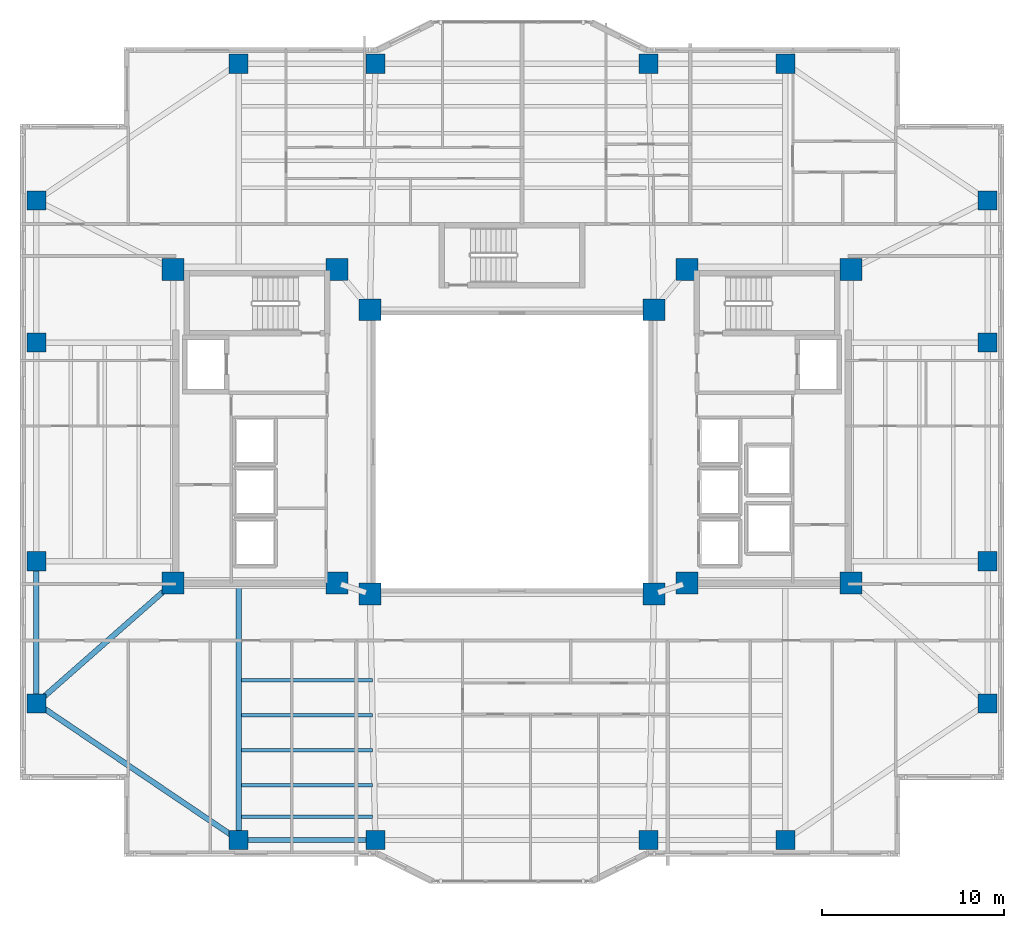
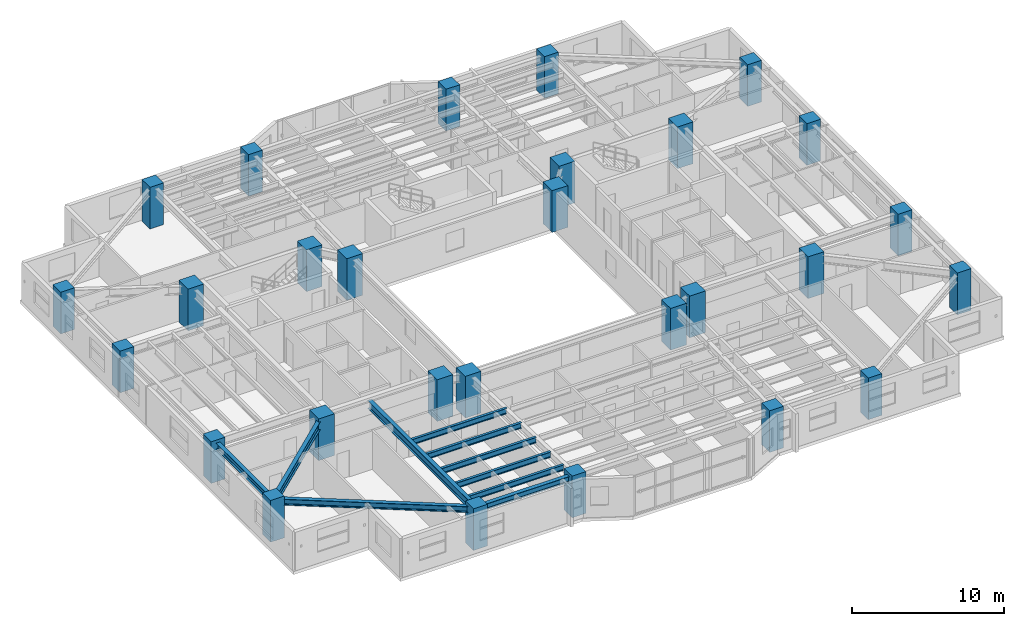
# One storey, part 1 of 18: 28 columns, 10 beams.
"""IFC4 building model written with IfcOpenShell, lengths in metres."""

from ifc_helpers import new_model, si_unit, direction, frame, origin, origin_2d, place, context, subcontext, project, spatial, rectangle, i_section, extrude, material, material_profile, profile_set, type_object, element, save


model = new_model("IFC4")

# Units and contexts
model_context = context("Model", 3, precision=1e-05, world=origin(), true_north=direction((0.0, 1.0)))
body_context = subcontext(model_context, "Body", "Model", "MODEL_VIEW")
ifc_project = project(units=[si_unit("LENGTHUNIT", "METRE"), si_unit("AREAUNIT", "SQUARE_METRE"), si_unit("VOLUMEUNIT", "CUBIC_METRE"), si_unit("PLANEANGLEUNIT", "RADIAN"), si_unit("MASSUNIT", "GRAM", prefix="KILO")], contexts=[model_context])

# Site, building, storey
site_placement = place(None, origin())
site = spatial("IfcSite", under=ifc_project, at=site_placement, CompositionType="ELEMENT")
building_placement = place(site_placement, origin())
building = spatial("IfcBuilding", under=site, at=building_placement, Name="Tarnavaz Court Tower", CompositionType="ELEMENT")
storey_placement = place(building_placement, frame((0.0, 0.0, 95.050048828125)))
storey = spatial("IfcBuildingStorey", under=building, at=storey_placement, Name="L25", CompositionType="ELEMENT", Elevation=95.050048828125)

# Columns
ifc_material_1 = material(Name="Concrete C60/75", Category="concrete")
ifc_material_profile_1 = material_profile(ifc_material_1, rectangle(XDim=1.050048828125, YDim=1.050048828125, at=origin_2d()), Name="RC 1050X1050")
ifc_profile_set_1 = profile_set([ifc_material_profile_1], Name="Concrete C60/75")
column_type_1 = type_object("IfcColumnType", Name="CL-RC1050", PredefinedType="COLUMN", material=ifc_profile_set_1)
for number, where, z_axis, x_axis, name in (
    (1, (-15.0, 21.300048828125, 0.0), (0.0, 0.0, 1.0), (1.0, 0.0, 0.0), "L25 Column PN-1"),
    (2, (-7.5, 21.300048828125, 0.0), (0.0, 0.0, 1.0), (1.0, 0.0, 0.0), "L25 Column PN-2"),
    (3, (7.5, 21.300048828125, 0.0), (0.0, 0.0, 1.0), (1.0, 0.0, 0.0), "L25 Column PN-3"),
    (4, (15.0, 21.300048828125, 0.0), (0.0, 0.0, 1.0), (1.0, 0.0, 0.0), "L25 Column PN-4"),
    (5, (-15.0, -21.300048828125, 0.0), (0.0, 0.0, 1.0), (1.0, 0.0, 0.0), "L25 Column PS-1"),
    (6, (-7.5, -21.300048828125, 0.0), (0.0, 0.0, 1.0), (1.0, 0.0, 0.0), "L25 Column PS-2"),
    (7, (7.5, -21.300048828125, 0.0), (0.0, 0.0, 1.0), (1.0, 0.0, 0.0), "L25 Column PS-3"),
    (8, (15.0, -21.300048828125, 0.0), (0.0, 0.0, 1.0), (1.0, 0.0, 0.0), "L25 Column PS-4"),
    (9, (26.10009765625, -13.800048828125, 0.0), (0.0, 0.0, 1.0), (1.0, 0.0, 0.0), "L25 Column PE-1"),
    (10, (26.10009765625, -6.0, 0.0), (0.0, 0.0, 1.0), (1.0, 0.0, 0.0), "L25 Column PE-2"),
    (11, (26.10009765625, 6.0, 0.0), (0.0, 0.0, 1.0), (1.0, 0.0, 0.0), "L25 Column PE-3"),
    (12, (26.10009765625, 13.800048828125, 0.0), (0.0, 0.0, 1.0), (1.0, 0.0, 0.0), "L25 Column PE-4"),
    (13, (-26.10009765625, -13.800048828125, 0.0), (0.0, 0.0, 1.0), (1.0, 0.0, 0.0), "L25 Column PW-1"),
    (14, (-26.10009765625, -6.0, 0.0), (0.0, 0.0, 1.0), (1.0, 0.0, 0.0), "L25 Column PW-2"),
    (15, (-26.10009765625, 6.0, 0.0), (0.0, 0.0, 1.0), (1.0, 0.0, 0.0), "L25 Column PW-3"),
    (16, (-26.10009765625, 13.800048828125, 0.0), (0.0, 0.0, 1.0), (1.0, 0.0, 0.0), "L25 Column PW-4"),
):
    element("IfcColumn", number, at=place(storey_placement, frame(where, z_axis=z_axis, x_axis=x_axis)), inside=storey, type_object=column_type_1, Name=name, PredefinedType="COLUMN", context=body_context, shape_type="SweptSolid", body=[
        extrude(rectangle(XDim=1.050048828125, YDim=1.050048828125, at=origin_2d()), origin(), (0.0, 0.0, 1.0), 3.349853515625),
    ])
ifc_material_profile_2 = material_profile(ifc_material_1, rectangle(XDim=1.199951171875, YDim=1.199951171875, at=origin_2d()), Name="RC 1200X1200")
ifc_profile_set_2 = profile_set([ifc_material_profile_2], Name="Concrete C60/75")
column_type_2 = type_object("IfcColumnType", Name="CL-RC1200", PredefinedType="COLUMN", material=ifc_profile_set_2)
for number, where, z_axis, x_axis, name in (
    (17, (-7.800048828125, -7.800048828125, 0.0), (0.0, 0.0, 1.0), (1.0, 0.0, 0.0), "L25 Column IW-SW"),
    (18, (7.800048828125, -7.800048828125, 0.0), (0.0, 0.0, 1.0), (1.0, 0.0, 0.0), "L25 Column IW-SE"),
    (19, (-7.800048828125, 7.800048828125, 0.0), (0.0, 0.0, 1.0), (1.0, 0.0, 0.0), "L25 Column IW-NW"),
    (20, (7.800048828125, 7.800048828125, 0.0), (0.0, 0.0, 1.0), (1.0, 0.0, 0.0), "L25 Column IW-NE"),
    (21, (-9.60009765625, -7.199951171875, 0.0), (0.0, 0.0, 1.0), (1.0, 0.0, 0.0), "L25 Column CW-SI"),
    (22, (-9.60009765625, 10.0, 0.0), (0.0, 0.0, 1.0), (1.0, 0.0, 0.0), "L25 Column CW-NI"),
    (23, (9.60009765625, -7.199951171875, 0.0), (0.0, 0.0, 1.0), (1.0, 0.0, 0.0), "L25 Column CE-SI"),
    (24, (9.60009765625, 10.0, 0.0), (0.0, 0.0, 1.0), (1.0, 0.0, 0.0), "L25 Column CE-NI"),
    (25, (-18.60009765625, -7.199951171875, 0.0), (0.0, 0.0, 1.0), (1.0, 0.0, 0.0), "L25 Column CW-SO"),
    (26, (-18.60009765625, 10.0, 0.0), (0.0, 0.0, 1.0), (1.0, 0.0, 0.0), "L25 Column CW-NO"),
    (27, (18.60009765625, -7.199951171875, 0.0), (0.0, 0.0, 1.0), (1.0, 0.0, 0.0), "L25 Column CE-SO"),
    (28, (18.60009765625, 10.0, 0.0), (0.0, 0.0, 1.0), (1.0, 0.0, 0.0), "L25 Column CE-NO"),
):
    element("IfcColumn", number, at=place(storey_placement, frame(where, z_axis=z_axis, x_axis=x_axis)), inside=storey, type_object=column_type_2, Name=name, PredefinedType="COLUMN", context=body_context, shape_type="SweptSolid", body=[
        extrude(rectangle(XDim=1.199951171875, YDim=1.199951171875, at=origin_2d()), origin(), (0.0, 0.0, 1.0), 3.349853515625),
    ])

# Beams
ifc_material_2 = material(Name="Steel S355", Category="steel")
ifc_material_profile_3 = material_profile(ifc_material_2, i_section(OverallWidth=0.300048828125, OverallDepth=0.64990234375, WebThickness=0.01611328125, FlangeThickness=0.031005859375, FilletRadius=0.027099609375, at=origin_2d()), Name="HEB 650")
ifc_profile_set_3 = profile_set([ifc_material_profile_3], Name="Steel S355")
beam_type_1 = type_object("IfcBeamType", Name="BM-G-HEB650", PredefinedType="USERDEFINED", material=ifc_profile_set_3)
beam_1_placement = place(storey_placement, frame((-15.0, -7.239990234375, 2.77490234375), z_axis=(0.0, -1.0, 0.0), x_axis=(1.0, 0.0, 0.0)))
element("IfcBeam", 29, at=beam_1_placement, inside=storey, type_object=beam_type_1, Name="L25 Beam RG-05", ObjectType="GIRDER", PredefinedType="USERDEFINED", context=body_context, shape_type="SweptSolid", body=[
    extrude(i_section(OverallWidth=0.300048828125, OverallDepth=0.64990234375, WebThickness=0.01611328125, FlangeThickness=0.031005859375, FilletRadius=0.027099609375, at=origin_2d()), origin(), (0.0, 0.0, 1.0), 13.840087890625),
])
beam_2_placement = place(storey_placement, frame((-18.76513671875, -7.34521484375, 2.77490234375), z_axis=(-0.750700332035, -0.660642877417, 0.0), x_axis=(0.660642877417, -0.750700332035, 0.0)))
element("IfcBeam", 30, at=beam_2_placement, inside=storey, type_object=beam_type_1, Name="L25 Beam RG-15", ObjectType="GIRDER", PredefinedType="USERDEFINED", context=body_context, shape_type="SweptSolid", body=[
    extrude(i_section(OverallWidth=0.300048828125, OverallDepth=0.64990234375, WebThickness=0.01611328125, FlangeThickness=0.031005859375, FilletRadius=0.027099609375, at=origin_2d()), origin(), (0.0, 0.0, 1.0), 9.550537109375),
])
ifc_material_profile_4 = material_profile(ifc_material_2, i_section(OverallWidth=0.18994140625, OverallDepth=0.449951171875, WebThickness=0.009521484375, FlangeThickness=0.0146484375, FilletRadius=0.02099609375, at=origin_2d()), Name="IPE 450")
ifc_profile_set_4 = profile_set([ifc_material_profile_4], Name="Steel S355")
beam_type_2 = type_object("IfcBeamType", Name="BM-J-IPE450", PredefinedType="JOIST", material=ifc_profile_set_4)
for number, where, z_axis, x_axis, name in (
    (31, (-14.85009765625, -12.52587890625, 2.875), (1.0, 0.0, 0.0), (0.0, 1.0, 0.0), "L25 Beam JS1-1"),
    (32, (-14.85009765625, -14.451904296875, 2.875), (1.0, 0.0, 0.0), (0.0, 1.0, 0.0), "L25 Beam JS2-1"),
    (33, (-14.85009765625, -16.3779296875, 2.875), (1.0, 0.0, 0.0), (0.0, 1.0, 0.0), "L25 Beam JS3-1"),
    (34, (-14.85009765625, -18.303955078125, 2.875), (1.0, 0.0, 0.0), (0.0, 1.0, 0.0), "L25 Beam JS4-1"),
    (35, (-14.85009765625, -20.01611328125, 2.875), (1.0, 0.0, 0.0), (0.0, 1.0, 0.0), "L25 Beam JS5-1"),
):
    element("IfcBeam", number, at=place(storey_placement, frame(where, z_axis=z_axis, x_axis=x_axis)), inside=storey, type_object=beam_type_2, Name=name, PredefinedType="JOIST", context=body_context, shape_type="SweptSolid", body=[
        extrude(i_section(OverallWidth=0.18994140625, OverallDepth=0.449951171875, WebThickness=0.009521484375, FlangeThickness=0.0146484375, FilletRadius=0.02099609375, at=origin_2d()), origin(), (0.0, 0.0, 1.0), 7.2001953125),
    ])
ifc_material_profile_5 = material_profile(ifc_material_2, i_section(OverallWidth=0.300048828125, OverallDepth=0.489990234375, WebThickness=0.011962890625, FlangeThickness=0.02294921875, FilletRadius=0.027099609375, at=origin_2d()), Name="HEA 500")
ifc_profile_set_5 = profile_set([ifc_material_profile_5], Name="Steel S355")
beam_type_3 = type_object("IfcBeamType", Name="BM-SP-HEA500", PredefinedType="SPANDREL", material=ifc_profile_set_5)
beam_3_placement = place(storey_placement, frame((-14.780029296875, -21.300048828125, 2.85498046875), z_axis=(1.0, 0.0, 0.0), x_axis=(0.0, 1.0, 0.0)))
element("IfcBeam", 36, at=beam_3_placement, inside=storey, type_object=beam_type_3, Name="L25 Beam PR-PS-1-PS-2", PredefinedType="SPANDREL", context=body_context, shape_type="SweptSolid", body=[
    extrude(i_section(OverallWidth=0.300048828125, OverallDepth=0.489990234375, WebThickness=0.011962890625, FlangeThickness=0.02294921875, FilletRadius=0.027099609375, at=origin_2d()), origin(), (0.0, 0.0, 1.0), 7.06005859375),
])
beam_4_placement = place(storey_placement, frame((-26.10009765625, -13.580078125, 2.85498046875), z_axis=(0.0, 1.0, 0.0), x_axis=(-1.0, 0.0, 0.0)))
element("IfcBeam", 37, at=beam_4_placement, inside=storey, type_object=beam_type_3, Name="L25 Beam PR-PW-1-PW-2", PredefinedType="SPANDREL", context=body_context, shape_type="SweptSolid", body=[
    extrude(i_section(OverallWidth=0.300048828125, OverallDepth=0.489990234375, WebThickness=0.011962890625, FlangeThickness=0.02294921875, FilletRadius=0.027099609375, at=origin_2d()), origin(), (0.0, 0.0, 1.0), 7.360107421875),
])
beam_5_placement = place(storey_placement, frame((-15.182373046875, -21.1767578125, 2.85498046875), z_axis=(-0.828587314918, 0.559859858854, 0.0), x_axis=(-0.559859858854, -0.828587314918, 0.0)))
element("IfcBeam", 38, at=beam_5_placement, inside=storey, type_object=beam_type_3, Name="L25 Beam PR-PS-1-PW-1", PredefinedType="SPANDREL", context=body_context, shape_type="SweptSolid", body=[
    extrude(i_section(OverallWidth=0.300048828125, OverallDepth=0.489990234375, WebThickness=0.011962890625, FlangeThickness=0.02294921875, FilletRadius=0.027099609375, at=origin_2d()), origin(), (0.0, 0.0, 1.0), 12.956298828125),
])

save(model, "model.ifc")
